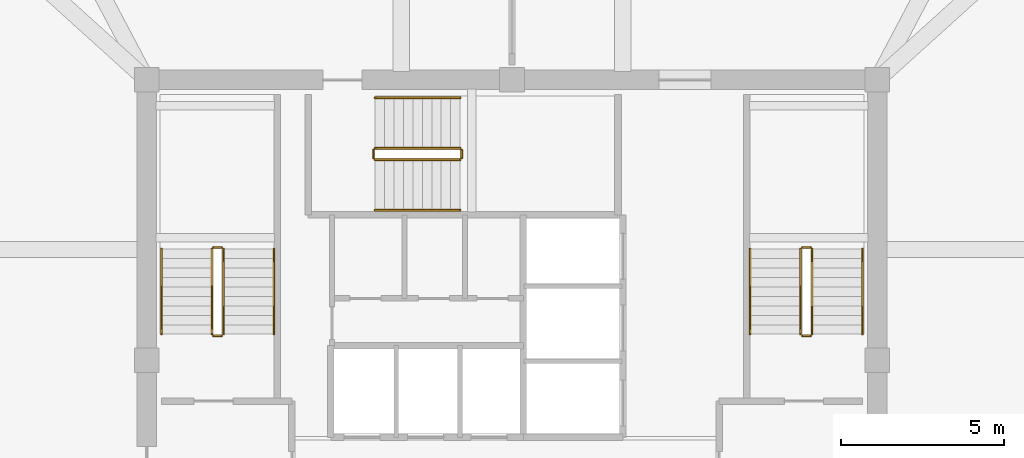
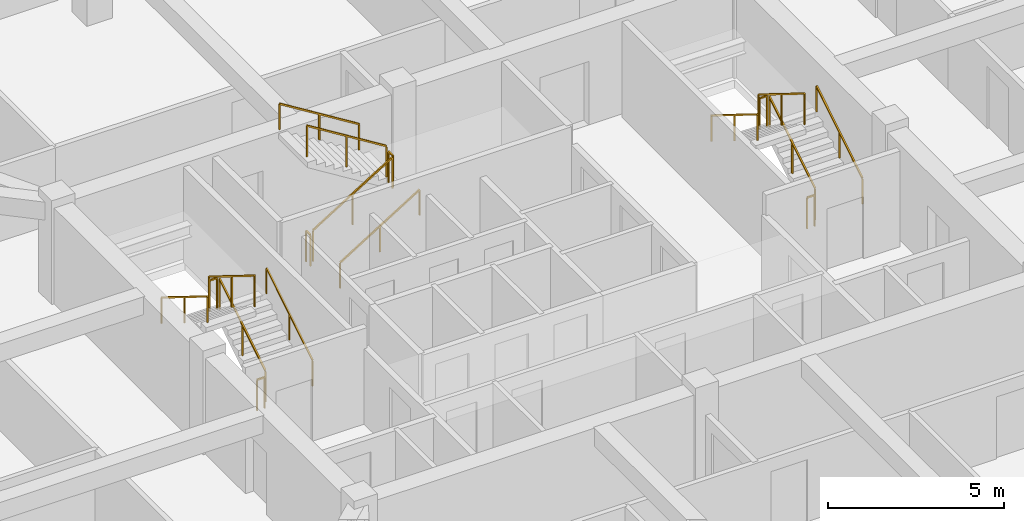
# One storey, part 12 of 12: 18 railings.
"""IFC4 building model written with IfcOpenShell, lengths in metres."""

from ifc_helpers import new_model, si_unit, derived_unit, direction, frame, origin, origin_2d, place, context, subcontext, project, spatial, rectangle, extrude, material, type_object, element, save


model = new_model("IFC4")

# Units and contexts
model_context = context("Model", 3, precision=1e-05, world=origin(), true_north=direction((0.0, 1.0)))
body_context = subcontext(model_context, "Body", "Model", "MODEL_VIEW")
ifc_project = project(units=[si_unit("LENGTHUNIT", "METRE"), si_unit("AREAUNIT", "SQUARE_METRE"), si_unit("VOLUMEUNIT", "CUBIC_METRE"), si_unit("PLANEANGLEUNIT", "RADIAN"), si_unit("MASSUNIT", "GRAM", prefix="KILO"), derived_unit("THERMALTRANSMITTANCEUNIT", [(si_unit("POWERUNIT", "WATT"), 1), (si_unit("LENGTHUNIT", "METRE"), -2), (si_unit("THERMODYNAMICTEMPERATUREUNIT", "KELVIN"), -1)])], contexts=[model_context])

# Site, building, storey
site_placement = place(None, origin())
site = spatial("IfcSite", under=ifc_project, at=site_placement, CompositionType="ELEMENT")
building_placement = place(site_placement, origin())
building = spatial("IfcBuilding", under=site, at=building_placement, Name="Koralith Skygarden Medical Center", CompositionType="ELEMENT")
storey_placement = place(building_placement, frame((0.0, 0.0, 278.820068359375)))
storey = spatial("IfcBuildingStorey", under=building, at=storey_placement, Name="L72", CompositionType="ELEMENT", Elevation=278.820068359375)

# Railings
ifc_material = material(Name="Steel ASTM A500 Grade C", Category="steel")
railing_type_1 = type_object("IfcRailingType", Name="Stair Flight Tubular Handrail 920", PredefinedType="HANDRAIL", material=ifc_material)
railing_1_placement = place(storey_placement, frame((29.699951171875, 26.699951171875, 0.179931640625)))
element("IfcRailing", 1, at=railing_1_placement, inside=storey, type_object=railing_type_1, Name="L72 ST1 stair handrail 1", PredefinedType="HANDRAIL", context=body_context, shape_type="SweptSolid", body=[
    extrude(rectangle(XDim=0.050048828125, YDim=0.050048828125, at=origin_2d()), frame((0.0, 0.001708984375, 0.89599609375), z_axis=(0.0, 0.849632798774, 0.527374731332), x_axis=(-1.0, 0.0, 0.0)), (0.0, 0.0, 1.0), 3.068115234375),
    extrude(rectangle(XDim=0.0419921875, YDim=0.0419921875, at=origin_2d()), origin(), (0.0, 0.0, 1.0), 0.867919921875),
    extrude(rectangle(XDim=0.0419921875, YDim=0.0419921875, at=origin_2d()), frame((0.0, 1.30517578125, 0.81005859375)), (0.0, 0.0, 1.0), 0.867919921875),
    extrude(rectangle(XDim=0.0419921875, YDim=0.0419921875, at=origin_2d()), frame((0.0, 2.610107421875, 1.6201171875)), (0.0, 0.0, 1.0), 0.867919921875),
])
railing_2_placement = place(storey_placement, frame((26.25, 29.31005859375, 1.97998046875)))
element("IfcRailing", 2, at=railing_2_placement, inside=storey, type_object=railing_type_1, Name="L72 ST1 stair handrail 2", PredefinedType="HANDRAIL", context=body_context, shape_type="SweptSolid", body=[
    extrude(rectangle(XDim=0.050048828125, YDim=0.050048828125, at=origin_2d()), frame((0.0, -0.001708984375, 0.89599609375), z_axis=(0.0, -0.849668407637, 0.527317358963), x_axis=(1.0, 0.0, 0.0)), (0.0, 0.0, 1.0), 3.06787109375),
    extrude(rectangle(XDim=0.0419921875, YDim=0.0419921875, at=origin_2d()), origin(), (0.0, 0.0, 1.0), 0.867919921875),
    extrude(rectangle(XDim=0.0419921875, YDim=0.0419921875, at=origin_2d()), frame((0.0, -1.30517578125, 0.81005859375)), (0.0, 0.0, 1.0), 0.867919921875),
    extrude(rectangle(XDim=0.0419921875, YDim=0.0419921875, at=origin_2d()), frame((0.0, -2.610107421875, 1.619873046875)), (0.0, 0.0, 1.0), 0.867919921875),
])
railing_3_placement = place(storey_placement, frame((47.75, 26.699951171875, 0.179931640625)))
element("IfcRailing", 3, at=railing_3_placement, inside=storey, type_object=railing_type_1, Name="L72 ST2 stair handrail 1", PredefinedType="HANDRAIL", context=body_context, shape_type="SweptSolid", body=[
    extrude(rectangle(XDim=0.050048828125, YDim=0.050048828125, at=origin_2d()), frame((0.0, 0.001708984375, 0.89599609375), z_axis=(0.0, 0.849632798774, 0.527374731332), x_axis=(-1.0, 0.0, 0.0)), (0.0, 0.0, 1.0), 3.068115234375),
    extrude(rectangle(XDim=0.0419921875, YDim=0.0419921875, at=origin_2d()), origin(), (0.0, 0.0, 1.0), 0.867919921875),
    extrude(rectangle(XDim=0.0419921875, YDim=0.0419921875, at=origin_2d()), frame((0.0, 1.30517578125, 0.81005859375)), (0.0, 0.0, 1.0), 0.867919921875),
    extrude(rectangle(XDim=0.0419921875, YDim=0.0419921875, at=origin_2d()), frame((0.0, 2.610107421875, 1.6201171875)), (0.0, 0.0, 1.0), 0.867919921875),
])
railing_4_placement = place(storey_placement, frame((44.300048828125, 29.31005859375, 1.97998046875)))
element("IfcRailing", 4, at=railing_4_placement, inside=storey, type_object=railing_type_1, Name="L72 ST2 stair handrail 2", PredefinedType="HANDRAIL", context=body_context, shape_type="SweptSolid", body=[
    extrude(rectangle(XDim=0.050048828125, YDim=0.050048828125, at=origin_2d()), frame((0.0, -0.001708984375, 0.89599609375), z_axis=(0.0, -0.849668407637, 0.527317358963), x_axis=(1.0, 0.0, 0.0)), (0.0, 0.0, 1.0), 3.06787109375),
    extrude(rectangle(XDim=0.0419921875, YDim=0.0419921875, at=origin_2d()), origin(), (0.0, 0.0, 1.0), 0.867919921875),
    extrude(rectangle(XDim=0.0419921875, YDim=0.0419921875, at=origin_2d()), frame((0.0, -1.30517578125, 0.81005859375)), (0.0, 0.0, 1.0), 0.867919921875),
    extrude(rectangle(XDim=0.0419921875, YDim=0.0419921875, at=origin_2d()), frame((0.0, -2.610107421875, 1.619873046875)), (0.0, 0.0, 1.0), 0.867919921875),
])
railing_5_placement = place(storey_placement, frame((32.800048828125, 30.5, 0.179931640625)))
element("IfcRailing", 5, at=railing_5_placement, inside=storey, type_object=railing_type_1, Name="L72 ST3 stair handrail 1", PredefinedType="HANDRAIL", context=body_context, shape_type="SweptSolid", body=[
    extrude(rectangle(XDim=0.050048828125, YDim=0.050048828125, at=origin_2d()), frame((0.001708984375, 0.0, 0.89599609375), z_axis=(0.849610693518, 0.0, 0.52741034258), x_axis=(0.0, 1.0, 0.0)), (0.0, 0.0, 1.0), 3.06787109375),
    extrude(rectangle(XDim=0.0419921875, YDim=0.0419921875, at=origin_2d()), origin(), (0.0, 0.0, 1.0), 0.867919921875),
    extrude(rectangle(XDim=0.0419921875, YDim=0.0419921875, at=origin_2d()), frame((1.304931640625, 0.0, 0.81005859375)), (0.0, 0.0, 1.0), 0.867919921875),
    extrude(rectangle(XDim=0.0419921875, YDim=0.0419921875, at=origin_2d()), frame((2.60986328125, 0.0, 1.6201171875)), (0.0, 0.0, 1.0), 0.867919921875),
])
railing_6_placement = place(storey_placement, frame((35.409912109375, 33.949951171875, 1.97998046875)))
element("IfcRailing", 6, at=railing_6_placement, inside=storey, type_object=railing_type_1, Name="L72 ST3 stair handrail 2", PredefinedType="HANDRAIL", context=body_context, shape_type="SweptSolid", body=[
    extrude(rectangle(XDim=0.050048828125, YDim=0.050048828125, at=origin_2d()), frame((-0.001708984375, 0.0, 0.89599609375), z_axis=(-0.849646306263, 0.0, 0.527352969322), x_axis=(0.0, -1.0, 0.0)), (0.0, 0.0, 1.0), 3.067626953125),
    extrude(rectangle(XDim=0.0419921875, YDim=0.0419921875, at=origin_2d()), origin(), (0.0, 0.0, 1.0), 0.867919921875),
    extrude(rectangle(XDim=0.0419921875, YDim=0.0419921875, at=origin_2d()), frame((-1.304931640625, 0.0, 0.81005859375)), (0.0, 0.0, 1.0), 0.867919921875),
    extrude(rectangle(XDim=0.0419921875, YDim=0.0419921875, at=origin_2d()), frame((-2.60986328125, 0.0, 1.619873046875)), (0.0, 0.0, 1.0), 0.867919921875),
])
railing_type_2 = type_object("IfcRailingType", Name="Stair Well Safety Guardrail 1100", PredefinedType="GUARDRAIL", material=ifc_material)
railing_7_placement = place(storey_placement, frame((28.14990234375, 26.699951171875, 0.179931640625)))
element("IfcRailing", 7, at=railing_7_placement, inside=storey, type_object=railing_type_2, Name="L72 ST1 stair guard 1", PredefinedType="GUARDRAIL", context=body_context, shape_type="SweptSolid", body=[
    extrude(rectangle(XDim=0.050048828125, YDim=0.050048828125, at=origin_2d()), frame((0.0, 0.001708984375, 1.076171875), z_axis=(0.0, 0.849632798774, 0.527374731332), x_axis=(-1.0, 0.0, 0.0)), (0.0, 0.0, 1.0), 3.068115234375),
    extrude(rectangle(XDim=0.0419921875, YDim=0.0419921875, at=origin_2d()), origin(), (0.0, 0.0, 1.0), 1.048095703125),
    extrude(rectangle(XDim=0.0419921875, YDim=0.0419921875, at=origin_2d()), frame((0.0, 1.30517578125, 0.81005859375)), (0.0, 0.0, 1.0), 1.048095703125),
    extrude(rectangle(XDim=0.0419921875, YDim=0.0419921875, at=origin_2d()), frame((0.0, 2.610107421875, 1.6201171875)), (0.0, 0.0, 1.0), 1.048095703125),
])
railing_8_placement = place(storey_placement, frame((28.10009765625, 29.360107421875, 1.800048828125)))
element("IfcRailing", 8, at=railing_8_placement, inside=storey, type_object=railing_type_2, Name="L72 ST1 stair guard 2", PredefinedType="GUARDRAIL", context=body_context, shape_type="SweptSolid", body=[
    extrude(rectangle(XDim=0.050048828125, YDim=0.050048828125, at=origin_2d()), frame((-0.001953125, 0.0, 1.0751953125), z_axis=(-1.0, 0.0, 0.0), x_axis=(0.0, -1.0, 0.0)), (0.0, 0.0, 1.0), 0.24609375),
    extrude(rectangle(XDim=0.0419921875, YDim=0.0419921875, at=origin_2d()), origin(), (0.0, 0.0, 1.0), 1.048095703125),
    extrude(rectangle(XDim=0.0419921875, YDim=0.0419921875, at=origin_2d()), frame((-0.25, 0.0, 0.0)), (0.0, 0.0, 1.0), 1.048095703125),
])
railing_9_placement = place(storey_placement, frame((27.800048828125, 29.31005859375, 1.97998046875)))
element("IfcRailing", 9, at=railing_9_placement, inside=storey, type_object=railing_type_2, Name="L72 ST1 stair guard 3", PredefinedType="GUARDRAIL", context=body_context, shape_type="SweptSolid", body=[
    extrude(rectangle(XDim=0.050048828125, YDim=0.050048828125, at=origin_2d()), frame((0.0, -0.001708984375, 1.076171875), z_axis=(0.0, -0.849668407637, 0.527317358963), x_axis=(1.0, 0.0, 0.0)), (0.0, 0.0, 1.0), 3.06787109375),
    extrude(rectangle(XDim=0.0419921875, YDim=0.0419921875, at=origin_2d()), origin(), (0.0, 0.0, 1.0), 1.048095703125),
    extrude(rectangle(XDim=0.0419921875, YDim=0.0419921875, at=origin_2d()), frame((0.0, -1.30517578125, 0.81005859375)), (0.0, 0.0, 1.0), 1.048095703125),
    extrude(rectangle(XDim=0.0419921875, YDim=0.0419921875, at=origin_2d()), frame((0.0, -2.610107421875, 1.619873046875)), (0.0, 0.0, 1.0), 1.048095703125),
])
railing_10_placement = place(storey_placement, frame((28.10009765625, 26.64990234375, 0.0)))
element("IfcRailing", 10, at=railing_10_placement, inside=storey, type_object=railing_type_2, Name="L72 ST1 stair guard 4", PredefinedType="GUARDRAIL", context=body_context, shape_type="SweptSolid", body=[
    extrude(rectangle(XDim=0.050048828125, YDim=0.050048828125, at=origin_2d()), frame((-0.001953125, 0.0, 1.0751953125), z_axis=(-1.0, 0.0, 0.0), x_axis=(0.0, -1.0, 0.0)), (0.0, 0.0, 1.0), 0.24609375),
    extrude(rectangle(XDim=0.0419921875, YDim=0.0419921875, at=origin_2d()), origin(), (0.0, 0.0, 1.0), 1.048095703125),
    extrude(rectangle(XDim=0.0419921875, YDim=0.0419921875, at=origin_2d()), frame((-0.25, 0.0, 0.0)), (0.0, 0.0, 1.0), 1.048095703125),
])
railing_11_placement = place(storey_placement, frame((46.199951171875, 26.699951171875, 0.179931640625)))
element("IfcRailing", 11, at=railing_11_placement, inside=storey, type_object=railing_type_2, Name="L72 ST2 stair guard 1", PredefinedType="GUARDRAIL", context=body_context, shape_type="SweptSolid", body=[
    extrude(rectangle(XDim=0.050048828125, YDim=0.050048828125, at=origin_2d()), frame((0.0, 0.001708984375, 1.076171875), z_axis=(0.0, 0.849632798774, 0.527374731332), x_axis=(-1.0, 0.0, 0.0)), (0.0, 0.0, 1.0), 3.068115234375),
    extrude(rectangle(XDim=0.0419921875, YDim=0.0419921875, at=origin_2d()), origin(), (0.0, 0.0, 1.0), 1.048095703125),
    extrude(rectangle(XDim=0.0419921875, YDim=0.0419921875, at=origin_2d()), frame((0.0, 1.30517578125, 0.81005859375)), (0.0, 0.0, 1.0), 1.048095703125),
    extrude(rectangle(XDim=0.0419921875, YDim=0.0419921875, at=origin_2d()), frame((0.0, 2.610107421875, 1.6201171875)), (0.0, 0.0, 1.0), 1.048095703125),
])
railing_12_placement = place(storey_placement, frame((46.14990234375, 29.360107421875, 1.800048828125)))
element("IfcRailing", 12, at=railing_12_placement, inside=storey, type_object=railing_type_2, Name="L72 ST2 stair guard 2", PredefinedType="GUARDRAIL", context=body_context, shape_type="SweptSolid", body=[
    extrude(rectangle(XDim=0.050048828125, YDim=0.050048828125, at=origin_2d()), frame((-0.001953125, 0.0, 1.0751953125), z_axis=(-1.0, 0.0, 0.0), x_axis=(0.0, -1.0, 0.0)), (0.0, 0.0, 1.0), 0.24609375),
    extrude(rectangle(XDim=0.0419921875, YDim=0.0419921875, at=origin_2d()), origin(), (0.0, 0.0, 1.0), 1.048095703125),
    extrude(rectangle(XDim=0.0419921875, YDim=0.0419921875, at=origin_2d()), frame((-0.25, 0.0, 0.0)), (0.0, 0.0, 1.0), 1.048095703125),
])
railing_13_placement = place(storey_placement, frame((45.85009765625, 29.31005859375, 1.97998046875)))
element("IfcRailing", 13, at=railing_13_placement, inside=storey, type_object=railing_type_2, Name="L72 ST2 stair guard 3", PredefinedType="GUARDRAIL", context=body_context, shape_type="SweptSolid", body=[
    extrude(rectangle(XDim=0.050048828125, YDim=0.050048828125, at=origin_2d()), frame((0.0, -0.001708984375, 1.076171875), z_axis=(0.0, -0.849668407637, 0.527317358963), x_axis=(1.0, 0.0, 0.0)), (0.0, 0.0, 1.0), 3.06787109375),
    extrude(rectangle(XDim=0.0419921875, YDim=0.0419921875, at=origin_2d()), origin(), (0.0, 0.0, 1.0), 1.048095703125),
    extrude(rectangle(XDim=0.0419921875, YDim=0.0419921875, at=origin_2d()), frame((0.0, -1.30517578125, 0.81005859375)), (0.0, 0.0, 1.0), 1.048095703125),
    extrude(rectangle(XDim=0.0419921875, YDim=0.0419921875, at=origin_2d()), frame((0.0, -2.610107421875, 1.619873046875)), (0.0, 0.0, 1.0), 1.048095703125),
])
railing_14_placement = place(storey_placement, frame((46.14990234375, 26.64990234375, 0.0)))
element("IfcRailing", 14, at=railing_14_placement, inside=storey, type_object=railing_type_2, Name="L72 ST2 stair guard 4", PredefinedType="GUARDRAIL", context=body_context, shape_type="SweptSolid", body=[
    extrude(rectangle(XDim=0.050048828125, YDim=0.050048828125, at=origin_2d()), frame((-0.001953125, 0.0, 1.0751953125), z_axis=(-1.0, 0.0, 0.0), x_axis=(0.0, -1.0, 0.0)), (0.0, 0.0, 1.0), 0.24609375),
    extrude(rectangle(XDim=0.0419921875, YDim=0.0419921875, at=origin_2d()), origin(), (0.0, 0.0, 1.0), 1.048095703125),
    extrude(rectangle(XDim=0.0419921875, YDim=0.0419921875, at=origin_2d()), frame((-0.25, 0.0, 0.0)), (0.0, 0.0, 1.0), 1.048095703125),
])
railing_15_placement = place(storey_placement, frame((32.800048828125, 32.050048828125, 0.179931640625)))
element("IfcRailing", 15, at=railing_15_placement, inside=storey, type_object=railing_type_2, Name="L72 ST3 stair guard 1", PredefinedType="GUARDRAIL", context=body_context, shape_type="SweptSolid", body=[
    extrude(rectangle(XDim=0.050048828125, YDim=0.050048828125, at=origin_2d()), frame((0.001708984375, 0.0, 1.076171875), z_axis=(0.849610693518, 0.0, 0.52741034258), x_axis=(0.0, 1.0, 0.0)), (0.0, 0.0, 1.0), 3.06787109375),
    extrude(rectangle(XDim=0.0419921875, YDim=0.0419921875, at=origin_2d()), origin(), (0.0, 0.0, 1.0), 1.048095703125),
    extrude(rectangle(XDim=0.0419921875, YDim=0.0419921875, at=origin_2d()), frame((1.304931640625, 0.0, 0.81005859375)), (0.0, 0.0, 1.0), 1.048095703125),
    extrude(rectangle(XDim=0.0419921875, YDim=0.0419921875, at=origin_2d()), frame((2.60986328125, 0.0, 1.6201171875)), (0.0, 0.0, 1.0), 1.048095703125),
])
railing_16_placement = place(storey_placement, frame((35.4599609375, 32.10009765625, 1.800048828125)))
element("IfcRailing", 16, at=railing_16_placement, inside=storey, type_object=railing_type_2, Name="L72 ST3 stair guard 2", PredefinedType="GUARDRAIL", context=body_context, shape_type="SweptSolid", body=[
    extrude(rectangle(XDim=0.050048828125, YDim=0.050048828125, at=origin_2d()), frame((0.0, 0.001953125, 1.0751953125), z_axis=(0.0, 1.0, 0.0), x_axis=(-1.0, 0.0, 0.0)), (0.0, 0.0, 1.0), 0.24609375),
    extrude(rectangle(XDim=0.0419921875, YDim=0.0419921875, at=origin_2d()), origin(), (0.0, 0.0, 1.0), 1.048095703125),
    extrude(rectangle(XDim=0.0419921875, YDim=0.0419921875, at=origin_2d()), frame((0.0, 0.25, 0.0)), (0.0, 0.0, 1.0), 1.048095703125),
])
railing_17_placement = place(storey_placement, frame((35.409912109375, 32.39990234375, 1.97998046875)))
element("IfcRailing", 17, at=railing_17_placement, inside=storey, type_object=railing_type_2, Name="L72 ST3 stair guard 3", PredefinedType="GUARDRAIL", context=body_context, shape_type="SweptSolid", body=[
    extrude(rectangle(XDim=0.050048828125, YDim=0.050048828125, at=origin_2d()), frame((-0.001708984375, 0.0, 1.076171875), z_axis=(-0.849646306263, 0.0, 0.527352969322), x_axis=(0.0, -1.0, 0.0)), (0.0, 0.0, 1.0), 3.067626953125),
    extrude(rectangle(XDim=0.0419921875, YDim=0.0419921875, at=origin_2d()), origin(), (0.0, 0.0, 1.0), 1.048095703125),
    extrude(rectangle(XDim=0.0419921875, YDim=0.0419921875, at=origin_2d()), frame((-1.304931640625, 0.0, 0.81005859375)), (0.0, 0.0, 1.0), 1.048095703125),
    extrude(rectangle(XDim=0.0419921875, YDim=0.0419921875, at=origin_2d()), frame((-2.60986328125, 0.0, 1.619873046875)), (0.0, 0.0, 1.0), 1.048095703125),
])
railing_18_placement = place(storey_placement, frame((32.75, 32.10009765625, 0.0)))
element("IfcRailing", 18, at=railing_18_placement, inside=storey, type_object=railing_type_2, Name="L72 ST3 stair guard 4", PredefinedType="GUARDRAIL", context=body_context, shape_type="SweptSolid", body=[
    extrude(rectangle(XDim=0.050048828125, YDim=0.050048828125, at=origin_2d()), frame((0.0, 0.001953125, 1.0751953125), z_axis=(0.0, 1.0, 0.0), x_axis=(-1.0, 0.0, 0.0)), (0.0, 0.0, 1.0), 0.24609375),
    extrude(rectangle(XDim=0.0419921875, YDim=0.0419921875, at=origin_2d()), origin(), (0.0, 0.0, 1.0), 1.048095703125),
    extrude(rectangle(XDim=0.0419921875, YDim=0.0419921875, at=origin_2d()), frame((0.0, 0.25, 0.0)), (0.0, 0.0, 1.0), 1.048095703125),
])

save(model, "model.ifc")
